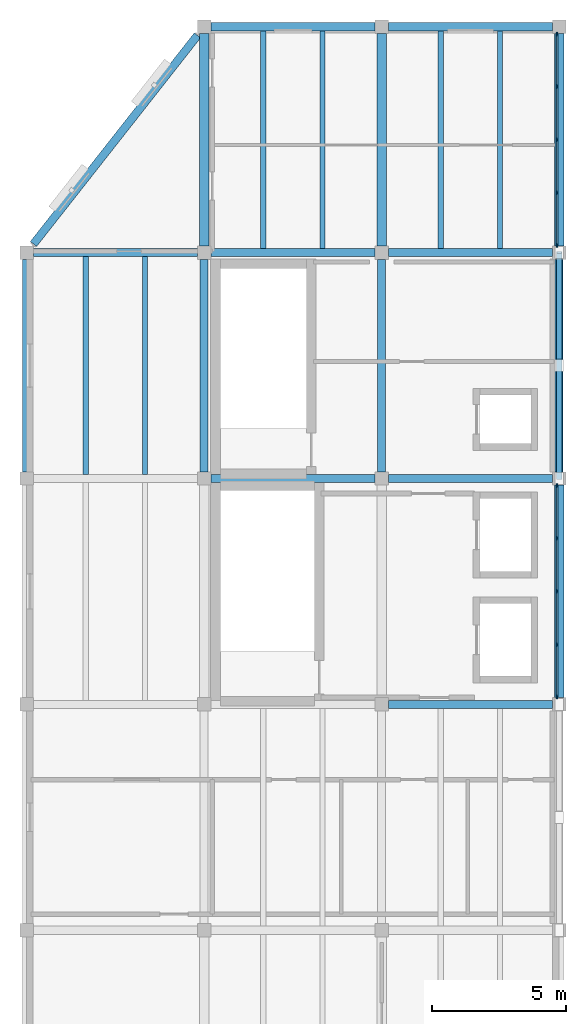
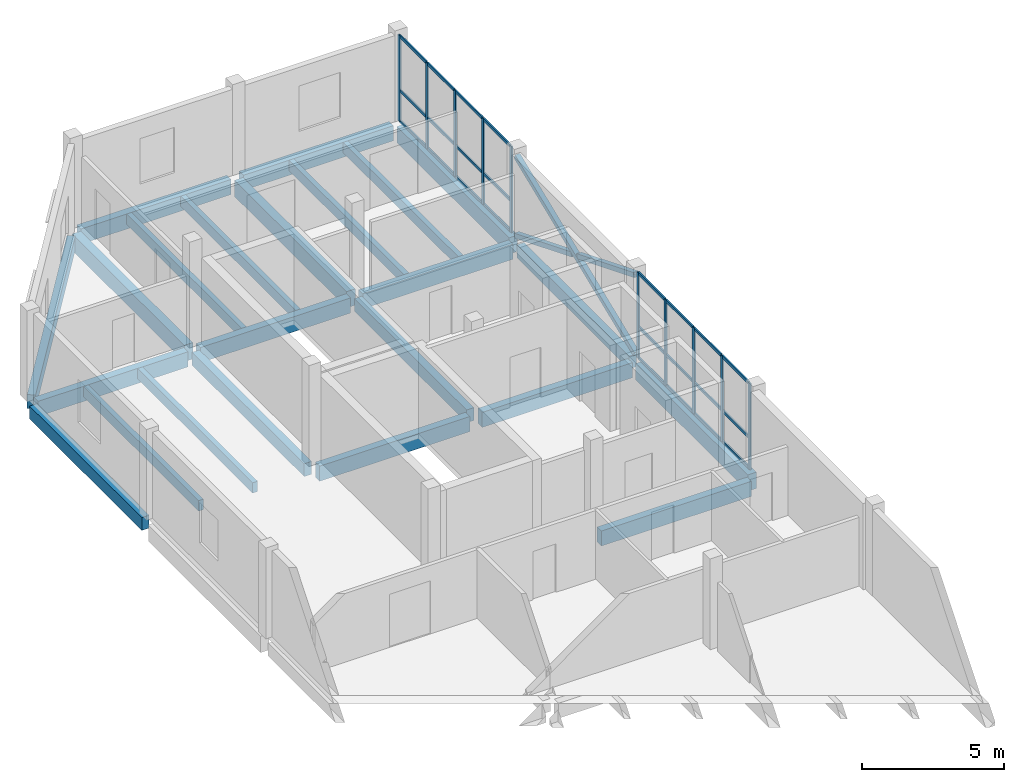
# One storey, part 3 of 7: 37 members, 23 beams, 2 elements without a shape of their own.
"""IFC4 building model written with IfcOpenShell, lengths in metres."""

from ifc_helpers import new_model, si_unit, direction, frame, origin, origin_2d, place, context, subcontext, project, spatial, rectangle, hollow_rectangle, extrude, material, material_profile, profile_set, type_object, element, aggregate, save


model = new_model("IFC4")

# Units and contexts
model_context = context("Model", 3, precision=1e-05, world=origin(), true_north=direction((0.0, 1.0)))
body_context = subcontext(model_context, "Body", "Model", "MODEL_VIEW")
ifc_project = project(units=[si_unit("LENGTHUNIT", "METRE"), si_unit("AREAUNIT", "SQUARE_METRE"), si_unit("VOLUMEUNIT", "CUBIC_METRE"), si_unit("PLANEANGLEUNIT", "RADIAN"), si_unit("MASSUNIT", "GRAM", prefix="KILO")], contexts=[model_context])

# Site, building, storey
site_placement = place(None, origin())
site = spatial("IfcSite", under=ifc_project, at=site_placement, CompositionType="ELEMENT")
building_placement = place(site_placement, origin())
building = spatial("IfcBuilding", under=site, at=building_placement, Name="Qaldarim Faculty of Natural and Applied Sciences", CompositionType="ELEMENT")
storey_placement = place(building_placement, frame((0.0, 0.0, 47.10009765625)))
storey = spatial("IfcBuildingStorey", under=building, at=storey_placement, Name="L11", CompositionType="ELEMENT", Elevation=47.10009765625)

# Beams
ifc_material_1 = material(Name="Concrete C40/50", Category="concrete")
ifc_material_profile_1 = material_profile(ifc_material_1, rectangle(XDim=0.300048828125, YDim=0.550048828125, at=origin_2d()), Name="RC-B300x550")
ifc_profile_set_1 = profile_set([ifc_material_profile_1], Name="Concrete C40/50")
beam_type_1 = type_object("IfcBeamType", Name="FloorBeam-RC300x550", PredefinedType="BEAM", material=ifc_profile_set_1)
for number, where, z_axis, x_axis, name in (
    (1, (158.39990234375, 25.449951171875, -0.4951171875), (0.0, 1.0, 0.0), (-1.0, 0.0, 0.0), "Beam RC-B300x550 L10 X25/Y04-Y05"),
    (2, (165.0, 25.449951171875, -0.4951171875), (0.0, 1.0, 0.0), (-1.0, 0.0, 0.0), "Beam RC-B300x550 L10 X26/Y04-Y05"),
    (3, (171.60009765625, 25.449951171875, -0.4951171875), (0.0, 1.0, 0.0), (-1.0, 0.0, 0.0), "Beam RC-B300x550 L10 X27/Y04-Y05"),
    (4, (178.199951171875, 25.449951171875, -0.4951171875), (0.0, 1.0, 0.0), (-1.0, 0.0, 0.0), "Beam RC-B300x550 L10 X28/Y04-Y05"),
):
    element("IfcBeam", number, at=place(storey_placement, frame(where, z_axis=z_axis, x_axis=x_axis)), inside=storey, type_object=beam_type_1, Name=name, PredefinedType="BEAM", context=body_context, shape_type="SweptSolid", body=[
        extrude(rectangle(XDim=0.300048828125, YDim=0.550048828125, at=origin_2d()), origin(), (0.0, 0.0, 1.0), 7.900146484375),
    ])
ifc_material_profile_2 = material_profile(ifc_material_1, rectangle(XDim=0.199951171875, YDim=0.449951171875, at=origin_2d()), Name="RC-J200x450")
ifc_profile_set_2 = profile_set([ifc_material_profile_2], Name="Concrete C40/50")
beam_type_2 = type_object("IfcBeamType", Name="LabJoist-RC200x450", PredefinedType="JOIST", material=ifc_profile_set_2)
for number, where, z_axis, x_axis, name in (
    (5, (160.60009765625, 25.35009765625, -0.445068359375), (0.0, 1.0, 0.0), (-1.0, 0.0, 0.0), "Laboratory joist L10 bay X25Y04-1"),
    (6, (162.800048828125, 25.35009765625, -0.445068359375), (0.0, 1.0, 0.0), (-1.0, 0.0, 0.0), "Laboratory joist L10 bay X25Y04-2"),
):
    element("IfcBeam", number, at=place(storey_placement, frame(where, z_axis=z_axis, x_axis=x_axis)), inside=storey, type_object=beam_type_2, Name=name, PredefinedType="JOIST", context=body_context, shape_type="SweptSolid", body=[
        extrude(rectangle(XDim=0.199951171875, YDim=0.449951171875, at=origin_2d()), origin(), (0.0, 0.0, 1.0), 8.099853515625),
    ])
for number, where, z_axis, x_axis, name in (
    (7, (167.199951171875, 33.75, -0.445068359375), (0.0, 1.0, 0.0), (-1.0, 0.0, 0.0), "Laboratory joist L10 bay X26Y05-1"),
    (8, (169.39990234375, 33.75, -0.445068359375), (0.0, 1.0, 0.0), (-1.0, 0.0, 0.0), "Laboratory joist L10 bay X26Y05-2"),
    (9, (173.800048828125, 33.75, -0.445068359375), (0.0, 1.0, 0.0), (-1.0, 0.0, 0.0), "Laboratory joist L10 bay X27Y05-1"),
    (10, (176.0, 33.75, -0.445068359375), (0.0, 1.0, 0.0), (-1.0, 0.0, 0.0), "Laboratory joist L10 bay X27Y05-2"),
):
    element("IfcBeam", number, at=place(storey_placement, frame(where, z_axis=z_axis, x_axis=x_axis)), inside=storey, type_object=beam_type_2, Name=name, PredefinedType="JOIST", context=body_context, shape_type="SweptSolid", body=[
        extrude(rectangle(XDim=0.199951171875, YDim=0.449951171875, at=origin_2d()), origin(), (0.0, 0.0, 1.0), 8.10009765625),
    ])

# Curtain wall, members
ifc_material_2 = material(Name="Anodised aluminium AW-6063", Category="aluminium")
curtain_wall_type = type_object("IfcCurtainWallType", Name="CurtainWallSystem-M1950", PredefinedType="USERDEFINED", material=ifc_material_2)
curtain_wall_1_placement = place(storey_placement, origin())
curtain_wall_1 = element("IfcCurtainWall", 11, at=curtain_wall_1_placement, inside=storey, type_object=curtain_wall_type, Name="Curtain wall CW-L11-E-X27Y03", ObjectType="UNITISED FACADE", PredefinedType="USERDEFINED")
ifc_material_profile_3 = material_profile(ifc_material_2, rectangle(XDim=0.06005859375, YDim=0.14990234375, at=origin_2d()), Name="ALU-M60x150")
ifc_profile_set_3 = profile_set([ifc_material_profile_3], Name="Anodised aluminium AW-6063")
member_type_1 = type_object("IfcMemberType", Name="Mullion-ALU60x150", PredefinedType="MULLION", material=ifc_profile_set_3)
member_1_placement = place(storey_placement, frame((178.1201171875, 17.074951171875, 0.0), z_axis=(0.0, 0.0, 1.0), x_axis=(-1.0, 0.0, 0.0)))
member_1 = element("IfcMember", 12, at=member_1_placement, type_object=member_type_1, Name="Mullion 1 of CW-L11-E-X27Y03", PredefinedType="MULLION", context=body_context, shape_type="SweptSolid", body=[
    extrude(rectangle(XDim=0.06005859375, YDim=0.14990234375, at=origin_2d()), origin(), (0.0, 0.0, 1.0), 3.699951171875),
])
member_2_placement = place(storey_placement, frame((178.1201171875, 19.0224609375, 0.0), z_axis=(0.0, 0.0, 1.0), x_axis=(-1.0, 0.0, 0.0)))
member_2 = element("IfcMember", 13, at=member_2_placement, type_object=member_type_1, Name="Mullion 2 of CW-L11-E-X27Y03", PredefinedType="MULLION", context=body_context, shape_type="SweptSolid", body=[
    extrude(rectangle(XDim=0.06005859375, YDim=0.14990234375, at=origin_2d()), origin(), (0.0, 0.0, 1.0), 3.699951171875),
])
member_3_placement = place(storey_placement, frame((178.1201171875, 21.0, 0.0), z_axis=(0.0, 0.0, 1.0), x_axis=(-1.0, 0.0, 0.0)))
member_3 = element("IfcMember", 14, at=member_3_placement, type_object=member_type_1, Name="Mullion 3 of CW-L11-E-X27Y03", PredefinedType="MULLION", context=body_context, shape_type="SweptSolid", body=[
    extrude(rectangle(XDim=0.06005859375, YDim=0.14990234375, at=origin_2d()), origin(), (0.0, 0.0, 1.0), 3.699951171875),
])
member_4_placement = place(storey_placement, frame((178.1201171875, 22.9775390625, 0.0), z_axis=(0.0, 0.0, 1.0), x_axis=(-1.0, 0.0, 0.0)))
member_4 = element("IfcMember", 15, at=member_4_placement, type_object=member_type_1, Name="Mullion 4 of CW-L11-E-X27Y03", PredefinedType="MULLION", context=body_context, shape_type="SweptSolid", body=[
    extrude(rectangle(XDim=0.06005859375, YDim=0.14990234375, at=origin_2d()), origin(), (0.0, 0.0, 1.0), 3.699951171875),
])
member_5_placement = place(storey_placement, frame((178.1201171875, 24.925048828125, 0.0), z_axis=(0.0, 0.0, 1.0), x_axis=(-1.0, 0.0, 0.0)))
member_5 = element("IfcMember", 16, at=member_5_placement, type_object=member_type_1, Name="Mullion 5 of CW-L11-E-X27Y03", PredefinedType="MULLION", context=body_context, shape_type="SweptSolid", body=[
    extrude(rectangle(XDim=0.06005859375, YDim=0.14990234375, at=origin_2d()), origin(), (0.0, 0.0, 1.0), 3.699951171875),
])

curtain_wall_2_placement = place(storey_placement, origin())
curtain_wall_2 = element("IfcCurtainWall", 17, at=curtain_wall_2_placement, inside=storey, type_object=curtain_wall_type, Name="Curtain wall CW-L11-E-X27Y05", ObjectType="UNITISED FACADE", PredefinedType="USERDEFINED")
member_6_placement = place(storey_placement, frame((178.1201171875, 33.875, 0.0), z_axis=(0.0, 0.0, 1.0), x_axis=(-1.0, 0.0, 0.0)))
member_6 = element("IfcMember", 18, at=member_6_placement, type_object=member_type_1, Name="Mullion 1 of CW-L11-E-X27Y05", PredefinedType="MULLION", context=body_context, shape_type="SweptSolid", body=[
    extrude(rectangle(XDim=0.06005859375, YDim=0.14990234375, at=origin_2d()), origin(), (0.0, 0.0, 1.0), 3.699951171875),
])
member_7_placement = place(storey_placement, frame((178.1201171875, 35.822509765625, 0.0), z_axis=(0.0, 0.0, 1.0), x_axis=(-1.0, 0.0, 0.0)))
member_7 = element("IfcMember", 19, at=member_7_placement, type_object=member_type_1, Name="Mullion 2 of CW-L11-E-X27Y05", PredefinedType="MULLION", context=body_context, shape_type="SweptSolid", body=[
    extrude(rectangle(XDim=0.06005859375, YDim=0.14990234375, at=origin_2d()), origin(), (0.0, 0.0, 1.0), 3.699951171875),
])
member_8_placement = place(storey_placement, frame((178.1201171875, 37.800048828125, 0.0), z_axis=(0.0, 0.0, 1.0), x_axis=(-1.0, 0.0, 0.0)))
member_8 = element("IfcMember", 20, at=member_8_placement, type_object=member_type_1, Name="Mullion 3 of CW-L11-E-X27Y05", PredefinedType="MULLION", context=body_context, shape_type="SweptSolid", body=[
    extrude(rectangle(XDim=0.06005859375, YDim=0.14990234375, at=origin_2d()), origin(), (0.0, 0.0, 1.0), 3.699951171875),
])
member_9_placement = place(storey_placement, frame((178.1201171875, 39.777587890625, 0.0), z_axis=(0.0, 0.0, 1.0), x_axis=(-1.0, 0.0, 0.0)))
member_9 = element("IfcMember", 21, at=member_9_placement, type_object=member_type_1, Name="Mullion 4 of CW-L11-E-X27Y05", PredefinedType="MULLION", context=body_context, shape_type="SweptSolid", body=[
    extrude(rectangle(XDim=0.06005859375, YDim=0.14990234375, at=origin_2d()), origin(), (0.0, 0.0, 1.0), 3.699951171875),
])
member_10_placement = place(storey_placement, frame((178.1201171875, 41.72509765625, 0.0), z_axis=(0.0, 0.0, 1.0), x_axis=(-1.0, 0.0, 0.0)))
member_10 = element("IfcMember", 22, at=member_10_placement, type_object=member_type_1, Name="Mullion 5 of CW-L11-E-X27Y05", PredefinedType="MULLION", context=body_context, shape_type="SweptSolid", body=[
    extrude(rectangle(XDim=0.06005859375, YDim=0.14990234375, at=origin_2d()), origin(), (0.0, 0.0, 1.0), 3.699951171875),
])

# Beams
ifc_material_profile_4 = material_profile(ifc_material_1, rectangle(XDim=0.300048828125, YDim=0.64990234375, at=origin_2d()), Name="RC-B300x650")
ifc_profile_set_4 = profile_set([ifc_material_profile_4], Name="Concrete C40/50")
beam_type_3 = type_object("IfcBeamType", Name="PrimaryBeam-RC300x650", PredefinedType="BEAM", material=ifc_profile_set_4)
beam_1_placement = place(storey_placement, frame((171.85009765625, 16.800048828125, -0.545166015625), z_axis=(1.0, 0.0, 0.0), x_axis=(0.0, 1.0, 0.0)))
element("IfcBeam", 23, at=beam_1_placement, inside=storey, type_object=beam_type_3, Name="Beam RC-B300x650 L10 X27-X28/Y03", PredefinedType="BEAM", context=body_context, shape_type="SweptSolid", body=[
    extrude(rectangle(XDim=0.300048828125, YDim=0.64990234375, at=origin_2d()), origin(), (0.0, 0.0, 1.0), 6.099853515625),
])
beam_2_placement = place(storey_placement, frame((165.25, 25.199951171875, -0.545166015625), z_axis=(1.0, 0.0, 0.0), x_axis=(0.0, 1.0, 0.0)))
element("IfcBeam", 24, at=beam_2_placement, inside=storey, type_object=beam_type_3, Name="Beam RC-B300x650 L10 X26-X27/Y04", PredefinedType="BEAM", context=body_context, shape_type="SweptSolid", body=[
    extrude(rectangle(XDim=0.300048828125, YDim=0.64990234375, at=origin_2d()), origin(), (0.0, 0.0, 1.0), 6.10009765625),
])
beam_3_placement = place(storey_placement, frame((171.85009765625, 25.199951171875, -0.545166015625), z_axis=(1.0, 0.0, 0.0), x_axis=(0.0, 1.0, 0.0)))
element("IfcBeam", 25, at=beam_3_placement, inside=storey, type_object=beam_type_3, Name="Beam RC-B300x650 L10 X27-X28/Y04", PredefinedType="BEAM", context=body_context, shape_type="SweptSolid", body=[
    extrude(rectangle(XDim=0.300048828125, YDim=0.64990234375, at=origin_2d()), origin(), (0.0, 0.0, 1.0), 6.099853515625),
])
for number, where, z_axis, x_axis, name in (
    (26, (158.64990234375, 33.60009765625, -0.545166015625), (1.0, 0.0, 0.0), (0.0, 1.0, 0.0), "Beam RC-B300x650 L10 X25-X26/Y05"),
    (27, (165.25, 33.60009765625, -0.545166015625), (1.0, 0.0, 0.0), (0.0, 1.0, 0.0), "Beam RC-B300x650 L10 X26-X27/Y05"),
):
    element("IfcBeam", number, at=place(storey_placement, frame(where, z_axis=z_axis, x_axis=x_axis)), inside=storey, type_object=beam_type_3, Name=name, PredefinedType="BEAM", context=body_context, shape_type="SweptSolid", body=[
        extrude(rectangle(XDim=0.300048828125, YDim=0.64990234375, at=origin_2d()), origin(), (0.0, 0.0, 1.0), 6.10009765625),
    ])
beam_4_placement = place(storey_placement, frame((171.85009765625, 33.60009765625, -0.545166015625), z_axis=(1.0, 0.0, 0.0), x_axis=(0.0, 1.0, 0.0)))
element("IfcBeam", 28, at=beam_4_placement, inside=storey, type_object=beam_type_3, Name="Beam RC-B300x650 L10 X27-X28/Y05", PredefinedType="BEAM", context=body_context, shape_type="SweptSolid", body=[
    extrude(rectangle(XDim=0.300048828125, YDim=0.64990234375, at=origin_2d()), origin(), (0.0, 0.0, 1.0), 6.099853515625),
])
beam_5_placement = place(storey_placement, frame((165.25, 42.0, -0.545166015625), z_axis=(1.0, 0.0, 0.0), x_axis=(0.0, 1.0, 0.0)))
element("IfcBeam", 29, at=beam_5_placement, inside=storey, type_object=beam_type_3, Name="Beam RC-B300x650 L10 X26-X27/Y06", PredefinedType="BEAM", context=body_context, shape_type="SweptSolid", body=[
    extrude(rectangle(XDim=0.300048828125, YDim=0.64990234375, at=origin_2d()), origin(), (0.0, 0.0, 1.0), 6.10009765625),
])
beam_6_placement = place(storey_placement, frame((171.85009765625, 42.0, -0.545166015625), z_axis=(1.0, 0.0, 0.0), x_axis=(0.0, 1.0, 0.0)))
element("IfcBeam", 30, at=beam_6_placement, inside=storey, type_object=beam_type_3, Name="Beam RC-B300x650 L10 X27-X28/Y06", PredefinedType="BEAM", context=body_context, shape_type="SweptSolid", body=[
    extrude(rectangle(XDim=0.300048828125, YDim=0.64990234375, at=origin_2d()), origin(), (0.0, 0.0, 1.0), 6.099853515625),
])
ifc_material_profile_5 = material_profile(ifc_material_1, rectangle(XDim=0.35009765625, YDim=0.699951171875, at=origin_2d()), Name="RC-B350x700")
ifc_profile_set_5 = profile_set([ifc_material_profile_5], Name="Concrete C40/50")
beam_type_4 = type_object("IfcBeamType", Name="PrimaryGirder-RC350x700", PredefinedType="BEAM", material=ifc_profile_set_5)
for number, where, z_axis, x_axis, name in (
    (31, (165.0, 33.85009765625, -0.570068359375), (0.0, 1.0, 0.0), (-1.0, 0.0, 0.0), "Beam RC-B350x700 L10 X26/Y05-Y06"),
    (32, (171.60009765625, 33.85009765625, -0.570068359375), (0.0, 1.0, 0.0), (-1.0, 0.0, 0.0), "Beam RC-B350x700 L10 X27/Y05-Y06"),
    (33, (178.199951171875, 17.050048828125, -0.570068359375), (0.0, 1.0, 0.0), (-1.0, 0.0, 0.0), "Beam RC-B350x700 L10 X28/Y03-Y04"),
    (34, (178.199951171875, 33.85009765625, -0.570068359375), (0.0, 1.0, 0.0), (-1.0, 0.0, 0.0), "Beam RC-B350x700 L10 X28/Y05-Y06"),
):
    element("IfcBeam", number, at=place(storey_placement, frame(where, z_axis=z_axis, x_axis=x_axis)), inside=storey, type_object=beam_type_4, Name=name, PredefinedType="BEAM", context=body_context, shape_type="SweptSolid", body=[
        extrude(rectangle(XDim=0.35009765625, YDim=0.699951171875, at=origin_2d()), origin(), (0.0, 0.0, 1.0), 7.89990234375),
    ])
ifc_material_3 = material(Name="Precast concrete C40/50", Category="concrete")
ifc_material_profile_6 = material_profile(ifc_material_3, rectangle(XDim=0.300048828125, YDim=0.60009765625, at=origin_2d()), Name="RC-SP300x600")
ifc_profile_set_6 = profile_set([ifc_material_profile_6], Name="Precast concrete C40/50")
beam_type_5 = type_object("IfcBeamType", Name="SpandrelBeam-RC300x600", PredefinedType="SPANDREL", material=ifc_profile_set_6)
beam_7_placement = place(storey_placement, frame((158.64990234375, 33.919921875, -0.52001953125), z_axis=(0.618006143337, 0.786173267669, 0.0), x_axis=(-0.786173267669, 0.618006143337, 0.0)))
element("IfcBeam", 35, at=beam_7_placement, inside=storey, type_object=beam_type_5, Name="Oblique NW chamfer spandrel L10", PredefinedType="SPANDREL", context=body_context, shape_type="SweptSolid", body=[
    extrude(rectangle(XDim=0.300048828125, YDim=0.60009765625, at=origin_2d()), origin(), (0.0, 0.0, 1.0), 9.87060546875),
])

# Member
ifc_material_profile_7 = material_profile(ifc_material_2, rectangle(XDim=0.06005859375, YDim=0.1201171875, at=origin_2d()), Name="ALU-T60x120")
ifc_profile_set_7 = profile_set([ifc_material_profile_7], Name="Anodised aluminium AW-6063")
member_type_2 = type_object("IfcMemberType", Name="Transom-ALU60x120", PredefinedType="USERDEFINED", material=ifc_profile_set_7)
member_11_placement = place(storey_placement, frame((178.1201171875, 17.10498046875, 0.02978515625), z_axis=(0.0, 1.0, 0.0), x_axis=(-1.0, 0.0, 0.0)))
member_11 = element("IfcMember", 36, at=member_11_placement, type_object=member_type_2, Name="Transom 1-1 of CW-L11-E-X27Y03", ObjectType="TRANSOM", PredefinedType="USERDEFINED", context=body_context, shape_type="SweptSolid", body=[
    extrude(rectangle(XDim=0.06005859375, YDim=0.1201171875, at=origin_2d()), origin(), (0.0, 0.0, 1.0), 1.887451171875),
])

member_12_placement = place(storey_placement, frame((178.1201171875, 17.10498046875, 1.349853515625), z_axis=(0.0, 1.0, 0.0), x_axis=(-1.0, 0.0, 0.0)))
member_12 = element("IfcMember", 37, at=member_12_placement, type_object=member_type_2, Name="Transom 1-2 of CW-L11-E-X27Y03", ObjectType="TRANSOM", PredefinedType="USERDEFINED", context=body_context, shape_type="SweptSolid", body=[
    extrude(rectangle(XDim=0.06005859375, YDim=0.1201171875, at=origin_2d()), origin(), (0.0, 0.0, 1.0), 1.887451171875),
])

member_13_placement = place(storey_placement, frame((178.1201171875, 17.10498046875, 3.669921875), z_axis=(0.0, 1.0, 0.0), x_axis=(-1.0, 0.0, 0.0)))
member_13 = element("IfcMember", 38, at=member_13_placement, type_object=member_type_2, Name="Transom 1-3 of CW-L11-E-X27Y03", ObjectType="TRANSOM", PredefinedType="USERDEFINED", context=body_context, shape_type="SweptSolid", body=[
    extrude(rectangle(XDim=0.06005859375, YDim=0.1201171875, at=origin_2d()), origin(), (0.0, 0.0, 1.0), 1.887451171875),
])

member_14_placement = place(storey_placement, frame((178.1201171875, 19.052490234375, 0.02978515625), z_axis=(0.0, 1.0, 0.0), x_axis=(-1.0, 0.0, 0.0)))
member_14 = element("IfcMember", 39, at=member_14_placement, type_object=member_type_2, Name="Transom 2-1 of CW-L11-E-X27Y03", ObjectType="TRANSOM", PredefinedType="USERDEFINED", context=body_context, shape_type="SweptSolid", body=[
    extrude(rectangle(XDim=0.06005859375, YDim=0.1201171875, at=origin_2d()), origin(), (0.0, 0.0, 1.0), 1.91748046875),
])

member_15_placement = place(storey_placement, frame((178.1201171875, 19.052490234375, 1.349853515625), z_axis=(0.0, 1.0, 0.0), x_axis=(-1.0, 0.0, 0.0)))
member_15 = element("IfcMember", 40, at=member_15_placement, type_object=member_type_2, Name="Transom 2-2 of CW-L11-E-X27Y03", ObjectType="TRANSOM", PredefinedType="USERDEFINED", context=body_context, shape_type="SweptSolid", body=[
    extrude(rectangle(XDim=0.06005859375, YDim=0.1201171875, at=origin_2d()), origin(), (0.0, 0.0, 1.0), 1.91748046875),
])

member_16_placement = place(storey_placement, frame((178.1201171875, 19.052490234375, 3.669921875), z_axis=(0.0, 1.0, 0.0), x_axis=(-1.0, 0.0, 0.0)))
member_16 = element("IfcMember", 41, at=member_16_placement, type_object=member_type_2, Name="Transom 2-3 of CW-L11-E-X27Y03", ObjectType="TRANSOM", PredefinedType="USERDEFINED", context=body_context, shape_type="SweptSolid", body=[
    extrude(rectangle(XDim=0.06005859375, YDim=0.1201171875, at=origin_2d()), origin(), (0.0, 0.0, 1.0), 1.91748046875),
])

member_17_placement = place(storey_placement, frame((178.1201171875, 21.030029296875, 0.02978515625), z_axis=(0.0, 1.0, 0.0), x_axis=(-1.0, 0.0, 0.0)))
member_17 = element("IfcMember", 42, at=member_17_placement, type_object=member_type_2, Name="Transom 3-1 of CW-L11-E-X27Y03", ObjectType="TRANSOM", PredefinedType="USERDEFINED", context=body_context, shape_type="SweptSolid", body=[
    extrude(rectangle(XDim=0.06005859375, YDim=0.1201171875, at=origin_2d()), origin(), (0.0, 0.0, 1.0), 1.91748046875),
])

member_18_placement = place(storey_placement, frame((178.1201171875, 21.030029296875, 1.349853515625), z_axis=(0.0, 1.0, 0.0), x_axis=(-1.0, 0.0, 0.0)))
member_18 = element("IfcMember", 43, at=member_18_placement, type_object=member_type_2, Name="Transom 3-2 of CW-L11-E-X27Y03", ObjectType="TRANSOM", PredefinedType="USERDEFINED", context=body_context, shape_type="SweptSolid", body=[
    extrude(rectangle(XDim=0.06005859375, YDim=0.1201171875, at=origin_2d()), origin(), (0.0, 0.0, 1.0), 1.91748046875),
])

member_19_placement = place(storey_placement, frame((178.1201171875, 21.030029296875, 3.669921875), z_axis=(0.0, 1.0, 0.0), x_axis=(-1.0, 0.0, 0.0)))
member_19 = element("IfcMember", 44, at=member_19_placement, type_object=member_type_2, Name="Transom 3-3 of CW-L11-E-X27Y03", ObjectType="TRANSOM", PredefinedType="USERDEFINED", context=body_context, shape_type="SweptSolid", body=[
    extrude(rectangle(XDim=0.06005859375, YDim=0.1201171875, at=origin_2d()), origin(), (0.0, 0.0, 1.0), 1.91748046875),
])

member_20_placement = place(storey_placement, frame((178.1201171875, 23.007568359375, 0.02978515625), z_axis=(0.0, 1.0, 0.0), x_axis=(-1.0, 0.0, 0.0)))
member_20 = element("IfcMember", 45, at=member_20_placement, type_object=member_type_2, Name="Transom 4-1 of CW-L11-E-X27Y03", ObjectType="TRANSOM", PredefinedType="USERDEFINED", context=body_context, shape_type="SweptSolid", body=[
    extrude(rectangle(XDim=0.06005859375, YDim=0.1201171875, at=origin_2d()), origin(), (0.0, 0.0, 1.0), 1.887451171875),
])

member_21_placement = place(storey_placement, frame((178.1201171875, 23.007568359375, 1.349853515625), z_axis=(0.0, 1.0, 0.0), x_axis=(-1.0, 0.0, 0.0)))
member_21 = element("IfcMember", 46, at=member_21_placement, type_object=member_type_2, Name="Transom 4-2 of CW-L11-E-X27Y03", ObjectType="TRANSOM", PredefinedType="USERDEFINED", context=body_context, shape_type="SweptSolid", body=[
    extrude(rectangle(XDim=0.06005859375, YDim=0.1201171875, at=origin_2d()), origin(), (0.0, 0.0, 1.0), 1.887451171875),
])

member_22_placement = place(storey_placement, frame((178.1201171875, 23.007568359375, 3.669921875), z_axis=(0.0, 1.0, 0.0), x_axis=(-1.0, 0.0, 0.0)))
member_22 = element("IfcMember", 47, at=member_22_placement, type_object=member_type_2, Name="Transom 4-3 of CW-L11-E-X27Y03", ObjectType="TRANSOM", PredefinedType="USERDEFINED", context=body_context, shape_type="SweptSolid", body=[
    extrude(rectangle(XDim=0.06005859375, YDim=0.1201171875, at=origin_2d()), origin(), (0.0, 0.0, 1.0), 1.887451171875),
])

aggregate(curtain_wall_1, [member_1, member_2, member_3, member_4, member_5, member_11, member_12, member_13, member_14, member_15, member_16, member_17, member_18, member_19, member_20, member_21, member_22])

member_23_placement = place(storey_placement, frame((178.1201171875, 33.905029296875, 0.02978515625), z_axis=(0.0, 1.0, 0.0), x_axis=(-1.0, 0.0, 0.0)))
member_23 = element("IfcMember", 48, at=member_23_placement, type_object=member_type_2, Name="Transom 1-1 of CW-L11-E-X27Y05", ObjectType="TRANSOM", PredefinedType="USERDEFINED", context=body_context, shape_type="SweptSolid", body=[
    extrude(rectangle(XDim=0.06005859375, YDim=0.1201171875, at=origin_2d()), origin(), (0.0, 0.0, 1.0), 1.887451171875),
])

member_24_placement = place(storey_placement, frame((178.1201171875, 33.905029296875, 1.349853515625), z_axis=(0.0, 1.0, 0.0), x_axis=(-1.0, 0.0, 0.0)))
member_24 = element("IfcMember", 49, at=member_24_placement, type_object=member_type_2, Name="Transom 1-2 of CW-L11-E-X27Y05", ObjectType="TRANSOM", PredefinedType="USERDEFINED", context=body_context, shape_type="SweptSolid", body=[
    extrude(rectangle(XDim=0.06005859375, YDim=0.1201171875, at=origin_2d()), origin(), (0.0, 0.0, 1.0), 1.887451171875),
])

member_25_placement = place(storey_placement, frame((178.1201171875, 33.905029296875, 3.669921875), z_axis=(0.0, 1.0, 0.0), x_axis=(-1.0, 0.0, 0.0)))
member_25 = element("IfcMember", 50, at=member_25_placement, type_object=member_type_2, Name="Transom 1-3 of CW-L11-E-X27Y05", ObjectType="TRANSOM", PredefinedType="USERDEFINED", context=body_context, shape_type="SweptSolid", body=[
    extrude(rectangle(XDim=0.06005859375, YDim=0.1201171875, at=origin_2d()), origin(), (0.0, 0.0, 1.0), 1.887451171875),
])

member_26_placement = place(storey_placement, frame((178.1201171875, 35.8525390625, 0.02978515625), z_axis=(0.0, 1.0, 0.0), x_axis=(-1.0, 0.0, 0.0)))
member_26 = element("IfcMember", 51, at=member_26_placement, type_object=member_type_2, Name="Transom 2-1 of CW-L11-E-X27Y05", ObjectType="TRANSOM", PredefinedType="USERDEFINED", context=body_context, shape_type="SweptSolid", body=[
    extrude(rectangle(XDim=0.06005859375, YDim=0.1201171875, at=origin_2d()), origin(), (0.0, 0.0, 1.0), 1.91748046875),
])

member_27_placement = place(storey_placement, frame((178.1201171875, 35.8525390625, 1.349853515625), z_axis=(0.0, 1.0, 0.0), x_axis=(-1.0, 0.0, 0.0)))
member_27 = element("IfcMember", 52, at=member_27_placement, type_object=member_type_2, Name="Transom 2-2 of CW-L11-E-X27Y05", ObjectType="TRANSOM", PredefinedType="USERDEFINED", context=body_context, shape_type="SweptSolid", body=[
    extrude(rectangle(XDim=0.06005859375, YDim=0.1201171875, at=origin_2d()), origin(), (0.0, 0.0, 1.0), 1.91748046875),
])

member_28_placement = place(storey_placement, frame((178.1201171875, 35.8525390625, 3.669921875), z_axis=(0.0, 1.0, 0.0), x_axis=(-1.0, 0.0, 0.0)))
member_28 = element("IfcMember", 53, at=member_28_placement, type_object=member_type_2, Name="Transom 2-3 of CW-L11-E-X27Y05", ObjectType="TRANSOM", PredefinedType="USERDEFINED", context=body_context, shape_type="SweptSolid", body=[
    extrude(rectangle(XDim=0.06005859375, YDim=0.1201171875, at=origin_2d()), origin(), (0.0, 0.0, 1.0), 1.91748046875),
])

member_29_placement = place(storey_placement, frame((178.1201171875, 37.830078125, 0.02978515625), z_axis=(0.0, 1.0, 0.0), x_axis=(-1.0, 0.0, 0.0)))
member_29 = element("IfcMember", 54, at=member_29_placement, type_object=member_type_2, Name="Transom 3-1 of CW-L11-E-X27Y05", ObjectType="TRANSOM", PredefinedType="USERDEFINED", context=body_context, shape_type="SweptSolid", body=[
    extrude(rectangle(XDim=0.06005859375, YDim=0.1201171875, at=origin_2d()), origin(), (0.0, 0.0, 1.0), 1.91748046875),
])

member_30_placement = place(storey_placement, frame((178.1201171875, 37.830078125, 1.349853515625), z_axis=(0.0, 1.0, 0.0), x_axis=(-1.0, 0.0, 0.0)))
member_30 = element("IfcMember", 55, at=member_30_placement, type_object=member_type_2, Name="Transom 3-2 of CW-L11-E-X27Y05", ObjectType="TRANSOM", PredefinedType="USERDEFINED", context=body_context, shape_type="SweptSolid", body=[
    extrude(rectangle(XDim=0.06005859375, YDim=0.1201171875, at=origin_2d()), origin(), (0.0, 0.0, 1.0), 1.91748046875),
])

member_31_placement = place(storey_placement, frame((178.1201171875, 37.830078125, 3.669921875), z_axis=(0.0, 1.0, 0.0), x_axis=(-1.0, 0.0, 0.0)))
member_31 = element("IfcMember", 56, at=member_31_placement, type_object=member_type_2, Name="Transom 3-3 of CW-L11-E-X27Y05", ObjectType="TRANSOM", PredefinedType="USERDEFINED", context=body_context, shape_type="SweptSolid", body=[
    extrude(rectangle(XDim=0.06005859375, YDim=0.1201171875, at=origin_2d()), origin(), (0.0, 0.0, 1.0), 1.91748046875),
])

member_32_placement = place(storey_placement, frame((178.1201171875, 39.8076171875, 0.02978515625), z_axis=(0.0, 1.0, 0.0), x_axis=(-1.0, 0.0, 0.0)))
member_32 = element("IfcMember", 57, at=member_32_placement, type_object=member_type_2, Name="Transom 4-1 of CW-L11-E-X27Y05", ObjectType="TRANSOM", PredefinedType="USERDEFINED", context=body_context, shape_type="SweptSolid", body=[
    extrude(rectangle(XDim=0.06005859375, YDim=0.1201171875, at=origin_2d()), origin(), (0.0, 0.0, 1.0), 1.887451171875),
])

member_33_placement = place(storey_placement, frame((178.1201171875, 39.8076171875, 1.349853515625), z_axis=(0.0, 1.0, 0.0), x_axis=(-1.0, 0.0, 0.0)))
member_33 = element("IfcMember", 58, at=member_33_placement, type_object=member_type_2, Name="Transom 4-2 of CW-L11-E-X27Y05", ObjectType="TRANSOM", PredefinedType="USERDEFINED", context=body_context, shape_type="SweptSolid", body=[
    extrude(rectangle(XDim=0.06005859375, YDim=0.1201171875, at=origin_2d()), origin(), (0.0, 0.0, 1.0), 1.887451171875),
])

member_34_placement = place(storey_placement, frame((178.1201171875, 39.8076171875, 3.669921875), z_axis=(0.0, 1.0, 0.0), x_axis=(-1.0, 0.0, 0.0)))
member_34 = element("IfcMember", 59, at=member_34_placement, type_object=member_type_2, Name="Transom 4-3 of CW-L11-E-X27Y05", ObjectType="TRANSOM", PredefinedType="USERDEFINED", context=body_context, shape_type="SweptSolid", body=[
    extrude(rectangle(XDim=0.06005859375, YDim=0.1201171875, at=origin_2d()), origin(), (0.0, 0.0, 1.0), 1.887451171875),
])

aggregate(curtain_wall_2, [member_6, member_7, member_8, member_9, member_10, member_23, member_24, member_25, member_26, member_27, member_28, member_29, member_30, member_31, member_32, member_33, member_34])

# Members
ifc_material_4 = material(Name="Structural steel S355", Category="steel")
ifc_material_profile_8 = material_profile(ifc_material_4, hollow_rectangle(XDim=0.199951171875, YDim=0.199951171875, WallThickness=0.012451171875, at=origin_2d()), Name="SHS 200x200x12.5")
ifc_profile_set_8 = profile_set([ifc_material_profile_8], Name="Structural steel S355")
member_type_3 = type_object("IfcMemberType", Name="UpperWingBrace-SHS200x12-5", PredefinedType="BRACE", material=ifc_profile_set_8)
member_35_placement = place(storey_placement, frame((178.199951171875, 25.199951171875, 0.0), z_axis=(0.0, 0.926952836405, 0.375177876588), x_axis=(-1.0, 0.0, 0.0)))
element("IfcMember", 60, at=member_35_placement, inside=storey, type_object=member_type_3, Name="Upper east diagrid L11 primary brace L", PredefinedType="BRACE", context=body_context, shape_type="SweptSolid", body=[
    extrude(hollow_rectangle(XDim=0.199951171875, YDim=0.199951171875, WallThickness=0.012451171875, at=origin_2d()), origin(), (0.0, 0.0, 1.0), 9.06201171875),
])
for number, where, z_axis, x_axis, name in (
    (61, (178.199951171875, 33.60009765625, 0.0), (0.0, -0.927114673047, 0.374777778184), (1.0, 0.0, 0.0), "Upper east diagrid L11 split secondary lower brace R1"),
    (62, (178.199951171875, 29.195068359375, 1.784912109375), (0.0, -0.927114673047, 0.374777778184), (1.0, 0.0, 0.0), "Upper east diagrid L11 split secondary upper brace R2"),
):
    element("IfcMember", number, at=place(storey_placement, frame(where, z_axis=z_axis, x_axis=x_axis)), inside=storey, type_object=member_type_3, Name=name, PredefinedType="BRACE", context=body_context, shape_type="SweptSolid", body=[
        extrude(hollow_rectangle(XDim=0.199951171875, YDim=0.199951171875, WallThickness=0.012451171875, at=origin_2d()), origin(), (0.0, 0.0, 1.0), 4.30908203125),
    ])

save(model, "model.ifc")
